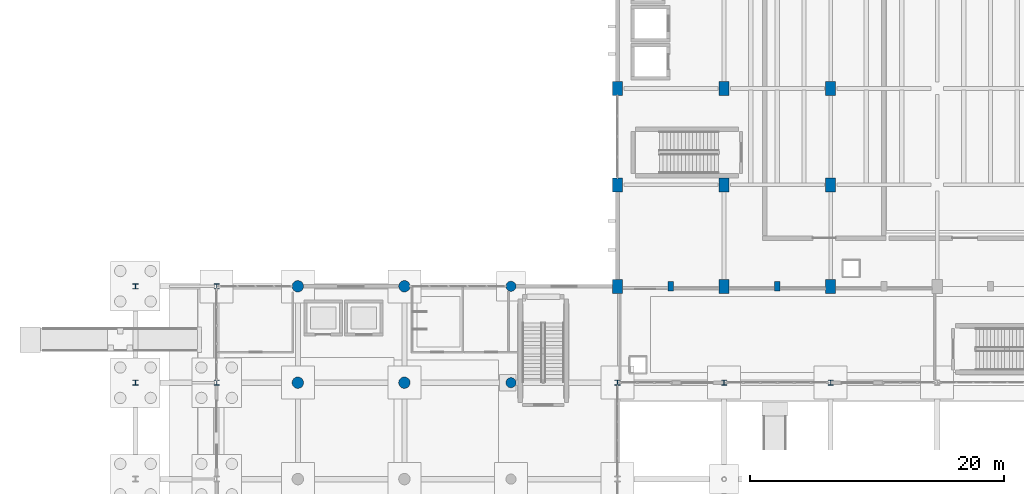
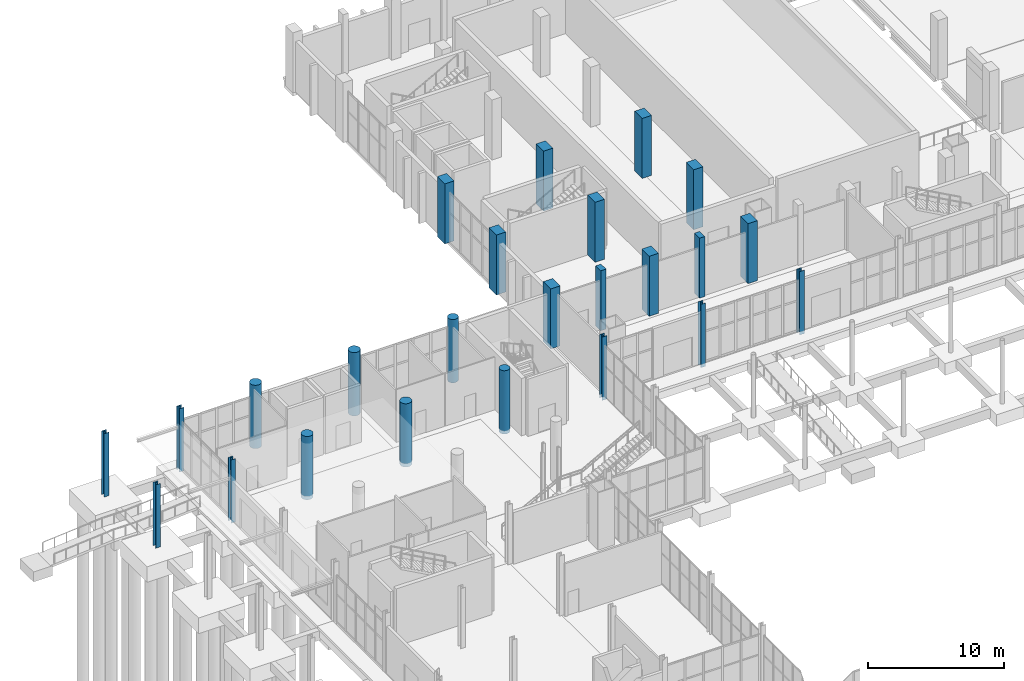
# One storey, part 11 of 95: 24 columns.
"""IFC4 building model written with IfcOpenShell, lengths in metres."""

from ifc_helpers import new_model, si_unit, direction, frame, origin, origin_2d, place, context, subcontext, project, spatial, rectangle, circle, i_section, extrude, material, material_profile, profile_set, type_object, element, save


model = new_model("IFC4")

# Units and contexts
model_context = context("Model", 3, precision=1e-05, world=origin(), true_north=direction((0.0, 1.0)))
body_context = subcontext(model_context, "Body", "Model", "MODEL_VIEW")
ifc_project = project(units=[si_unit("LENGTHUNIT", "METRE"), si_unit("AREAUNIT", "SQUARE_METRE"), si_unit("VOLUMEUNIT", "CUBIC_METRE"), si_unit("PLANEANGLEUNIT", "RADIAN"), si_unit("MASSUNIT", "GRAM", prefix="KILO")], contexts=[model_context])

# Site, building, storey
site_placement = place(None, origin())
site = spatial("IfcSite", under=ifc_project, at=site_placement, CompositionType="ELEMENT")
building_placement = place(site_placement, origin())
building = spatial("IfcBuilding", under=site, at=building_placement, Name="Shengluoqiao Park Theatre", CompositionType="ELEMENT")
storey_placement = place(building_placement, origin())
storey = spatial("IfcBuildingStorey", under=building, at=storey_placement, Name="L00", CompositionType="ELEMENT", Elevation=0.0)

# Columns
ifc_material_1 = material(Name="Steel Q390", Category="steel")
ifc_material_profile_1 = material_profile(ifc_material_1, i_section(OverallWidth=0.405029296875, OverallDepth=0.4140625, WebThickness=0.01806640625, FlangeThickness=0.028076171875, FilletRadius=0.02197265625, at=origin_2d()), Name="HW 414x405x18x28")
ifc_profile_set_1 = profile_set([ifc_material_profile_1], Name="Steel Q390")
column_type_1 = type_object("IfcColumnType", Name="STR-COL-C-HW414", PredefinedType="COLUMN", material=ifc_profile_set_1)
for number, where, z_axis, x_axis, name in (
    (1, (6.39990234375, 68.39990234375, -0.300048828125), (0.0, 0.0, 1.0), (1.0, 0.0, 0.0), "L00 Column 0021"),
    (2, (6.39990234375, 76.0, -0.300048828125), (0.0, 0.0, 1.0), (1.0, 0.0, 0.0), "L00 Column 0025"),
    (3, (12.800048828125, 68.39990234375, -0.300048828125), (0.0, 0.0, 1.0), (1.0, 0.0, 0.0), "L00 Column 0059"),
    (4, (12.800048828125, 76.0, -0.300048828125), (0.0, 0.0, 1.0), (1.0, 0.0, 0.0), "L00 Column 0063"),
    (5, (44.39990234375, 68.39990234375, -0.300048828125), (0.0, 0.0, 1.0), (1.0, 0.0, 0.0), "L00 Column 0211"),
    (6, (52.800048828125, 68.39990234375, -0.300048828125), (0.0, 0.0, 1.0), (1.0, 0.0, 0.0), "L00 Column 0259"),
    (7, (61.199951171875, 68.39990234375, -0.300048828125), (0.0, 0.0, 1.0), (1.0, 0.0, 0.0), "L00 Column 0307"),
):
    element("IfcColumn", number, at=place(storey_placement, frame(where, z_axis=z_axis, x_axis=x_axis)), inside=storey, type_object=column_type_1, Name=name, PredefinedType="COLUMN", context=body_context, shape_type="SweptSolid", body=[
        extrude(i_section(OverallWidth=0.405029296875, OverallDepth=0.4140625, WebThickness=0.01806640625, FlangeThickness=0.028076171875, FilletRadius=0.02197265625, at=origin_2d()), origin(), (0.0, 0.0, 1.0), 5.699951171875),
    ])
ifc_material_2 = material(Name="Concrete C50", Category="concrete")
ifc_material_profile_2 = material_profile(ifc_material_2, rectangle(XDim=0.449951171875, YDim=0.75, at=origin_2d()), Name="RC PILASTER 450x750")
ifc_profile_set_2 = profile_set([ifc_material_profile_2], Name="Concrete C50")
column_type_2 = type_object("IfcColumnType", Name="STR-COL-C-PIL4575", PredefinedType="PILASTER", material=ifc_profile_set_2)
for number, where, z_axis, x_axis, name in (
    (8, (48.60009765625, 76.0, 0.0), (0.0, 0.0, 1.0), (1.0, 0.0, 0.0), "L00 Column 0246"),
    (9, (57.0, 76.0, 0.0), (0.0, 0.0, 1.0), (1.0, 0.0, 0.0), "L00 Column 0294"),
):
    element("IfcColumn", number, at=place(storey_placement, frame(where, z_axis=z_axis, x_axis=x_axis)), inside=storey, type_object=column_type_2, Name=name, PredefinedType="PILASTER", context=body_context, shape_type="SweptSolid", body=[
        extrude(rectangle(XDim=0.449951171875, YDim=0.75, at=origin_2d()), origin(), (0.0, 0.0, 1.0), 5.39990234375),
    ])
ifc_material_profile_3 = material_profile(ifc_material_2, rectangle(XDim=0.800048828125, YDim=1.10009765625, at=origin_2d()), Name="RC 800x1100")
ifc_profile_set_3 = profile_set([ifc_material_profile_3], Name="Concrete C50")
column_type_3 = type_object("IfcColumnType", Name="STR-COL-C-RC8011", PredefinedType="COLUMN", material=ifc_profile_set_3)
for number, where, z_axis, x_axis, name in (
    (10, (44.39990234375, 76.0, 0.0), (0.0, 0.0, 1.0), (1.0, 0.0, 0.0), "L00 Column 0216"),
    (11, (44.39990234375, 84.0, 0.0), (0.0, 0.0, 1.0), (1.0, 0.0, 0.0), "L00 Column 0221"),
    (12, (44.39990234375, 91.60009765625, 0.0), (0.0, 0.0, 1.0), (1.0, 0.0, 0.0), "L00 Column 0226"),
    (13, (52.800048828125, 76.0, 0.0), (0.0, 0.0, 1.0), (1.0, 0.0, 0.0), "L00 Column 0264"),
    (14, (52.800048828125, 84.0, 0.0), (0.0, 0.0, 1.0), (1.0, 0.0, 0.0), "L00 Column 0269"),
    (15, (52.800048828125, 91.60009765625, 0.0), (0.0, 0.0, 1.0), (1.0, 0.0, 0.0), "L00 Column 0274"),
    (16, (61.199951171875, 76.0, 0.0), (0.0, 0.0, 1.0), (1.0, 0.0, 0.0), "L00 Column 0312"),
    (17, (61.199951171875, 84.0, 0.0), (0.0, 0.0, 1.0), (1.0, 0.0, 0.0), "L00 Column 0317"),
    (18, (61.199951171875, 91.60009765625, 0.0), (0.0, 0.0, 1.0), (1.0, 0.0, 0.0), "L00 Column 0322"),
):
    element("IfcColumn", number, at=place(storey_placement, frame(where, z_axis=z_axis, x_axis=x_axis)), inside=storey, type_object=column_type_3, Name=name, PredefinedType="COLUMN", context=body_context, shape_type="SweptSolid", body=[
        extrude(rectangle(XDim=0.800048828125, YDim=1.10009765625, at=origin_2d()), origin(), (0.0, 0.0, 1.0), 5.39990234375),
    ])
ifc_material_profile_4 = material_profile(ifc_material_2, circle(Radius=0.39990234375, at=origin_2d()), Name="RC COL D800")
ifc_profile_set_4 = profile_set([ifc_material_profile_4], Name="Concrete C50")
column_type_4 = type_object("IfcColumnType", Name="STR-COL-C-RCD800", PredefinedType="COLUMN", material=ifc_profile_set_4)
for number, where, z_axis, x_axis, name in (
    (19, (36.0, 68.39990234375, -0.300048828125), (0.0, 0.0, 1.0), (1.0, 0.0, 0.0), "L00 Column 0179"),
    (20, (36.0, 76.0, -0.300048828125), (0.0, 0.0, 1.0), (1.0, 0.0, 0.0), "L00 Column 0183"),
):
    element("IfcColumn", number, at=place(storey_placement, frame(where, z_axis=z_axis, x_axis=x_axis)), inside=storey, type_object=column_type_4, Name=name, PredefinedType="COLUMN", context=body_context, shape_type="SweptSolid", body=[
        extrude(circle(Radius=0.39990234375, at=origin_2d()), origin(), (0.0, 0.0, 1.0), 5.699951171875),
    ])
ifc_material_profile_5 = material_profile(ifc_material_2, circle(Radius=0.449951171875, at=origin_2d()), Name="RC COL D900")
ifc_profile_set_5 = profile_set([ifc_material_profile_5], Name="Concrete C50")
column_type_5 = type_object("IfcColumnType", Name="STR-COL-C-RCD900", PredefinedType="COLUMN", material=ifc_profile_set_5)
for number, where, z_axis, x_axis, name in (
    (21, (19.199951171875, 68.39990234375, -0.300048828125), (0.0, 0.0, 1.0), (1.0, 0.0, 0.0), "L00 Column 0091"),
    (22, (19.199951171875, 76.0, -0.300048828125), (0.0, 0.0, 1.0), (1.0, 0.0, 0.0), "L00 Column 0095"),
    (23, (27.60009765625, 68.39990234375, -0.300048828125), (0.0, 0.0, 1.0), (1.0, 0.0, 0.0), "L00 Column 0135"),
    (24, (27.60009765625, 76.0, -0.300048828125), (0.0, 0.0, 1.0), (1.0, 0.0, 0.0), "L00 Column 0139"),
):
    element("IfcColumn", number, at=place(storey_placement, frame(where, z_axis=z_axis, x_axis=x_axis)), inside=storey, type_object=column_type_5, Name=name, PredefinedType="COLUMN", context=body_context, shape_type="SweptSolid", body=[
        extrude(circle(Radius=0.449951171875, at=origin_2d()), origin(), (0.0, 0.0, 1.0), 5.699951171875),
    ])

save(model, "model.ifc")
